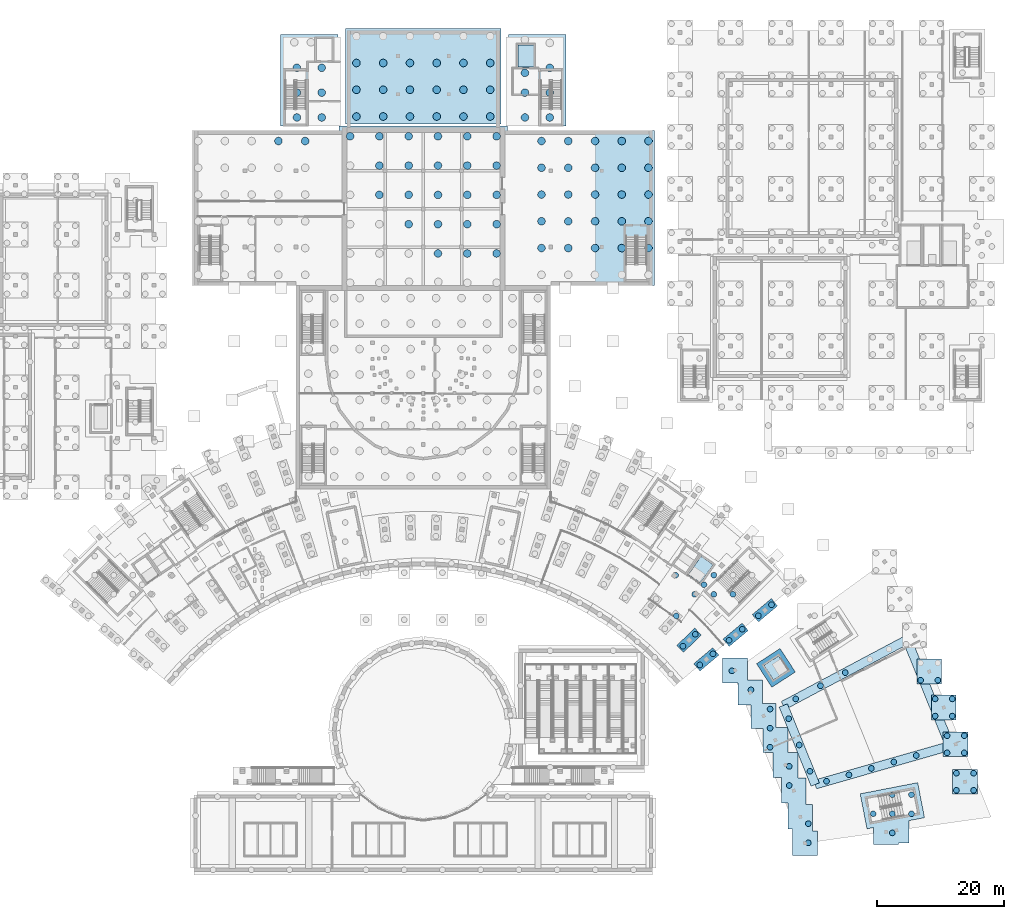
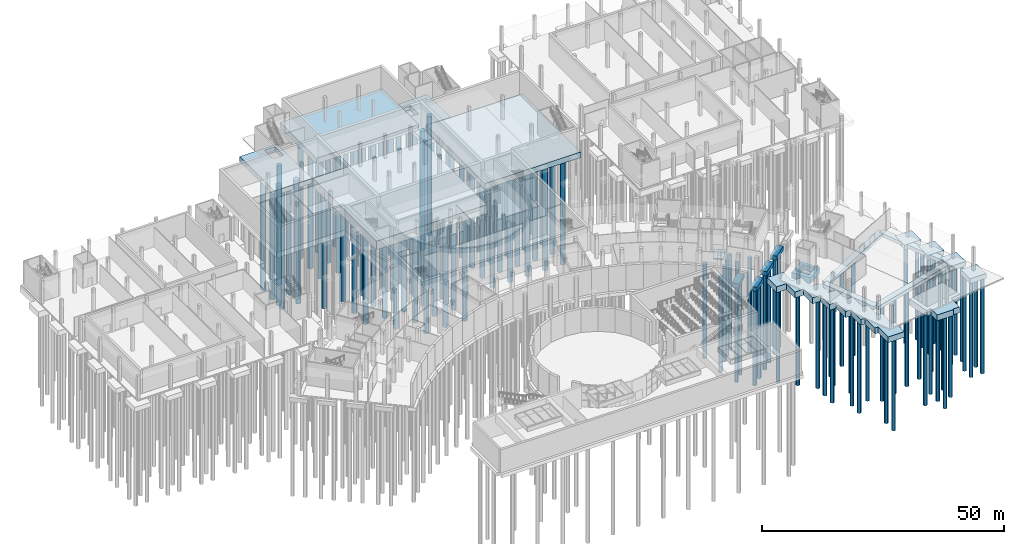
# One storey, part 7 of 66: 135 piles, 23 footings.
"""IFC4 building model written with IfcOpenShell, lengths in metres."""

from ifc_helpers import new_model, si_unit, direction, frame, origin, origin_2d, place, context, subcontext, project, spatial, polyline, circle, outline, extrude, material, material_profile, profile_set, type_object, element, save


model = new_model("IFC4")

# Units and contexts
model_context = context("Model", 3, precision=1e-05, world=origin(), true_north=direction((0.0, 1.0)))
body_context = subcontext(model_context, "Body", "Model", "MODEL_VIEW")
ifc_project = project(units=[si_unit("LENGTHUNIT", "METRE"), si_unit("AREAUNIT", "SQUARE_METRE"), si_unit("VOLUMEUNIT", "CUBIC_METRE"), si_unit("PLANEANGLEUNIT", "RADIAN"), si_unit("MASSUNIT", "GRAM", prefix="KILO")], contexts=[model_context])

# Site, building, storey
site_placement = place(None, origin())
site = spatial("IfcSite", under=ifc_project, at=site_placement, CompositionType="ELEMENT")
building_placement = place(site_placement, origin())
building = spatial("IfcBuilding", under=site, at=building_placement, Name="Lunette Opera House", CompositionType="ELEMENT")
storey_placement = place(building_placement, frame((0.0, 0.0, -6.0)))
storey = spatial("IfcBuildingStorey", under=building, at=storey_placement, Name="B1", CompositionType="ELEMENT", Elevation=-6.0)

# Piles
ifc_material_1 = material(Name="Concrete C40/50", Category="concrete")
ifc_material_profile_1 = material_profile(ifc_material_1, circle(Radius=0.60009765625, at=origin_2d()), Name="BORED PILE 1200")
ifc_profile_set_1 = profile_set([ifc_material_profile_1], Name="Concrete C40/50")
pile_type_1 = type_object("IfcPileType", Name="BORED PILE 1200", PredefinedType="BORED", material=ifc_profile_set_1)
for number, where, z_axis, x_axis, name in (
    (1, (84.5, 119.39990234375, -6.89990234375), (0.0, 0.0, -1.0), (1.0, 0.0, 0.0), "pile-ST-R2-06"),
    (2, (89.10009765625, 110.199951171875, -6.89990234375), (0.0, 0.0, -1.0), (1.0, 0.0, 0.0), "pile-ST-R2-10"),
    (3, (89.10009765625, 114.800048828125, -6.89990234375), (0.0, 0.0, -1.0), (1.0, 0.0, 0.0), "pile-ST-R2-11"),
    (4, (89.10009765625, 119.39990234375, -6.89990234375), (0.0, 0.0, -1.0), (1.0, 0.0, 0.0), "pile-ST-R2-12"),
    (5, (93.699951171875, 105.60009765625, -6.89990234375), (0.0, 0.0, -1.0), (1.0, 0.0, 0.0), "pile-ST-R2-15"),
    (6, (93.699951171875, 110.199951171875, -6.89990234375), (0.0, 0.0, -1.0), (1.0, 0.0, 0.0), "pile-ST-R2-16"),
    (7, (93.699951171875, 114.800048828125, -6.89990234375), (0.0, 0.0, -1.0), (1.0, 0.0, 0.0), "pile-ST-R2-17"),
    (8, (93.699951171875, 119.39990234375, -6.89990234375), (0.0, 0.0, -1.0), (1.0, 0.0, 0.0), "pile-ST-R2-18"),
    (9, (98.300048828125, 101.0, -6.89990234375), (0.0, 0.0, -1.0), (1.0, 0.0, 0.0), "pile-ST-R2-20"),
    (10, (98.300048828125, 105.60009765625, -6.89990234375), (0.0, 0.0, -1.0), (1.0, 0.0, 0.0), "pile-ST-R2-21"),
    (11, (98.300048828125, 110.199951171875, -6.89990234375), (0.0, 0.0, -1.0), (1.0, 0.0, 0.0), "pile-ST-R2-22"),
    (12, (98.300048828125, 114.800048828125, -6.89990234375), (0.0, 0.0, -1.0), (1.0, 0.0, 0.0), "pile-ST-R2-23"),
    (13, (98.300048828125, 119.39990234375, -6.89990234375), (0.0, 0.0, -1.0), (1.0, 0.0, 0.0), "pile-ST-R2-24"),
    (14, (102.89990234375, 101.0, -6.89990234375), (0.0, 0.0, -1.0), (1.0, 0.0, 0.0), "pile-ST-R2-26"),
    (15, (102.89990234375, 105.60009765625, -6.89990234375), (0.0, 0.0, -1.0), (1.0, 0.0, 0.0), "pile-ST-R2-27"),
    (16, (102.89990234375, 110.199951171875, -6.89990234375), (0.0, 0.0, -1.0), (1.0, 0.0, 0.0), "pile-ST-R2-28"),
    (17, (102.89990234375, 114.800048828125, -6.89990234375), (0.0, 0.0, -1.0), (1.0, 0.0, 0.0), "pile-ST-R2-29"),
    (18, (102.89990234375, 119.39990234375, -6.89990234375), (0.0, 0.0, -1.0), (1.0, 0.0, 0.0), "pile-ST-R2-30"),
    (19, (107.5, 101.0, -6.89990234375), (0.0, 0.0, -1.0), (1.0, 0.0, 0.0), "pile-ST-R2-32"),
    (20, (107.5, 105.60009765625, -6.89990234375), (0.0, 0.0, -1.0), (1.0, 0.0, 0.0), "pile-ST-R2-33"),
    (21, (107.5, 110.199951171875, -6.89990234375), (0.0, 0.0, -1.0), (1.0, 0.0, 0.0), "pile-ST-R2-34"),
    (22, (107.5, 114.800048828125, -6.89990234375), (0.0, 0.0, -1.0), (1.0, 0.0, 0.0), "pile-ST-R2-35"),
    (23, (107.5, 119.39990234375, -6.89990234375), (0.0, 0.0, -1.0), (1.0, 0.0, 0.0), "pile-ST-R2-36"),
    (24, (73.25, 118.64990234375, -1.60009765625), (0.0, 0.0, -1.0), (1.0, 0.0, 0.0), "pile-ST-R3-24"),
    (25, (77.449951171875, 118.64990234375, -1.60009765625), (0.0, 0.0, -1.0), (1.0, 0.0, 0.0), "pile-ST-R3-30"),
    (26, (114.550048828125, 101.85009765625, -1.60009765625), (0.0, 0.0, -1.0), (1.0, 0.0, 0.0), "pile-ST-R4-02"),
    (27, (114.550048828125, 106.050048828125, -1.60009765625), (0.0, 0.0, -1.0), (1.0, 0.0, 0.0), "pile-ST-R4-03"),
    (28, (114.550048828125, 110.25, -1.60009765625), (0.0, 0.0, -1.0), (1.0, 0.0, 0.0), "pile-ST-R4-04"),
    (29, (114.550048828125, 114.449951171875, -1.60009765625), (0.0, 0.0, -1.0), (1.0, 0.0, 0.0), "pile-ST-R4-05"),
    (30, (114.550048828125, 118.64990234375, -1.60009765625), (0.0, 0.0, -1.0), (1.0, 0.0, 0.0), "pile-ST-R4-06"),
    (31, (118.75, 101.85009765625, -1.60009765625), (0.0, 0.0, -1.0), (1.0, 0.0, 0.0), "pile-ST-R4-08"),
    (32, (118.75, 106.050048828125, -1.60009765625), (0.0, 0.0, -1.0), (1.0, 0.0, 0.0), "pile-ST-R4-09"),
    (33, (118.75, 110.25, -1.60009765625), (0.0, 0.0, -1.0), (1.0, 0.0, 0.0), "pile-ST-R4-10"),
    (34, (118.75, 114.449951171875, -1.60009765625), (0.0, 0.0, -1.0), (1.0, 0.0, 0.0), "pile-ST-R4-11"),
    (35, (118.75, 118.64990234375, -1.60009765625), (0.0, 0.0, -1.0), (1.0, 0.0, 0.0), "pile-ST-R4-12"),
    (36, (122.949951171875, 101.85009765625, -1.60009765625), (0.0, 0.0, -1.0), (1.0, 0.0, 0.0), "pile-ST-R4-14"),
    (37, (122.949951171875, 106.050048828125, -1.60009765625), (0.0, 0.0, -1.0), (1.0, 0.0, 0.0), "pile-ST-R4-15"),
    (38, (122.949951171875, 110.25, -1.60009765625), (0.0, 0.0, -1.0), (1.0, 0.0, 0.0), "pile-ST-R4-16"),
    (39, (122.949951171875, 114.449951171875, -1.60009765625), (0.0, 0.0, -1.0), (1.0, 0.0, 0.0), "pile-ST-R4-17"),
    (40, (122.949951171875, 118.64990234375, -1.60009765625), (0.0, 0.0, -1.0), (1.0, 0.0, 0.0), "pile-ST-R4-18"),
    (41, (127.14990234375, 101.85009765625, -1.60009765625), (0.0, 0.0, -1.0), (1.0, 0.0, 0.0), "pile-ST-R4-20"),
    (42, (127.14990234375, 106.050048828125, -1.60009765625), (0.0, 0.0, -1.0), (1.0, 0.0, 0.0), "pile-ST-R4-21"),
    (43, (127.14990234375, 110.25, -1.60009765625), (0.0, 0.0, -1.0), (1.0, 0.0, 0.0), "pile-ST-R4-22"),
    (44, (127.14990234375, 114.449951171875, -1.60009765625), (0.0, 0.0, -1.0), (1.0, 0.0, 0.0), "pile-ST-R4-23"),
    (45, (127.14990234375, 118.64990234375, -1.60009765625), (0.0, 0.0, -1.0), (1.0, 0.0, 0.0), "pile-ST-R4-24"),
    (46, (131.35009765625, 101.85009765625, -1.60009765625), (0.0, 0.0, -1.0), (1.0, 0.0, 0.0), "pile-ST-R4-26"),
    (47, (131.35009765625, 106.050048828125, -1.60009765625), (0.0, 0.0, -1.0), (1.0, 0.0, 0.0), "pile-ST-R4-27"),
    (48, (131.35009765625, 110.25, -1.60009765625), (0.0, 0.0, -1.0), (1.0, 0.0, 0.0), "pile-ST-R4-28"),
    (49, (131.35009765625, 114.449951171875, -1.60009765625), (0.0, 0.0, -1.0), (1.0, 0.0, 0.0), "pile-ST-R4-29"),
    (50, (131.35009765625, 118.64990234375, -1.60009765625), (0.0, 0.0, -1.0), (1.0, 0.0, 0.0), "pile-ST-R4-30"),
    (51, (85.5, 122.5, -1.60009765625), (0.0, 0.0, -1.0), (1.0, 0.0, 0.0), "pile-ST-R5-01"),
    (52, (85.5, 126.699951171875, -1.60009765625), (0.0, 0.0, -1.0), (1.0, 0.0, 0.0), "pile-ST-R5-02"),
    (53, (85.5, 130.89990234375, -1.60009765625), (0.0, 0.0, -1.0), (1.0, 0.0, 0.0), "pile-ST-R5-03"),
    (54, (89.699951171875, 122.5, -1.60009765625), (0.0, 0.0, -1.0), (1.0, 0.0, 0.0), "pile-ST-R5-05"),
    (55, (89.699951171875, 126.699951171875, -1.60009765625), (0.0, 0.0, -1.0), (1.0, 0.0, 0.0), "pile-ST-R5-06"),
    (56, (89.699951171875, 130.89990234375, -1.60009765625), (0.0, 0.0, -1.0), (1.0, 0.0, 0.0), "pile-ST-R5-07"),
    (57, (93.89990234375, 122.5, -1.60009765625), (0.0, 0.0, -1.0), (1.0, 0.0, 0.0), "pile-ST-R5-09"),
    (58, (93.89990234375, 126.699951171875, -1.60009765625), (0.0, 0.0, -1.0), (1.0, 0.0, 0.0), "pile-ST-R5-10"),
    (59, (93.89990234375, 130.89990234375, -1.60009765625), (0.0, 0.0, -1.0), (1.0, 0.0, 0.0), "pile-ST-R5-11"),
    (60, (98.10009765625, 122.5, -1.60009765625), (0.0, 0.0, -1.0), (1.0, 0.0, 0.0), "pile-ST-R5-13"),
    (61, (98.10009765625, 126.699951171875, -1.60009765625), (0.0, 0.0, -1.0), (1.0, 0.0, 0.0), "pile-ST-R5-14"),
    (62, (98.10009765625, 130.89990234375, -1.60009765625), (0.0, 0.0, -1.0), (1.0, 0.0, 0.0), "pile-ST-R5-15"),
    (63, (102.300048828125, 122.5, -1.60009765625), (0.0, 0.0, -1.0), (1.0, 0.0, 0.0), "pile-ST-R5-17"),
    (64, (102.300048828125, 126.699951171875, -1.60009765625), (0.0, 0.0, -1.0), (1.0, 0.0, 0.0), "pile-ST-R5-18"),
    (65, (102.300048828125, 130.89990234375, -1.60009765625), (0.0, 0.0, -1.0), (1.0, 0.0, 0.0), "pile-ST-R5-19"),
    (66, (106.5, 122.5, -1.60009765625), (0.0, 0.0, -1.0), (1.0, 0.0, 0.0), "pile-ST-R5-21"),
    (67, (106.5, 126.699951171875, -1.60009765625), (0.0, 0.0, -1.0), (1.0, 0.0, 0.0), "pile-ST-R5-22"),
    (68, (106.5, 130.89990234375, -1.60009765625), (0.0, 0.0, -1.0), (1.0, 0.0, 0.0), "pile-ST-R5-23"),
    (69, (76.14990234375, 122.35009765625, -5.89990234375), (0.0, 0.0, -1.0), (1.0, 0.0, 0.0), "pile-ST-RT1-01"),
    (70, (76.14990234375, 126.25, -5.89990234375), (0.0, 0.0, -1.0), (1.0, 0.0, 0.0), "pile-ST-RT1-02"),
    (71, (76.14990234375, 130.14990234375, -5.89990234375), (0.0, 0.0, -1.0), (1.0, 0.0, 0.0), "pile-ST-RT1-03"),
    (72, (80.050048828125, 122.35009765625, -5.89990234375), (0.0, 0.0, -1.0), (1.0, 0.0, 0.0), "pile-ST-RT1-05"),
    (73, (80.050048828125, 126.25, -5.89990234375), (0.0, 0.0, -1.0), (1.0, 0.0, 0.0), "pile-ST-RT1-06"),
    (74, (80.050048828125, 130.14990234375, -5.89990234375), (0.0, 0.0, -1.0), (1.0, 0.0, 0.0), "pile-ST-RT1-07"),
    (75, (111.949951171875, 122.35009765625, -5.89990234375), (0.0, 0.0, -1.0), (1.0, 0.0, 0.0), "pile-ST-RT2-01"),
    (76, (111.949951171875, 126.25, -5.89990234375), (0.0, 0.0, -1.0), (1.0, 0.0, 0.0), "pile-ST-RT2-02"),
    (77, (111.949951171875, 129.35009765625, -5.89990234375), (0.0, 0.0, -1.0), (1.0, 0.0, 0.0), "pile-ST-RT2-03"),
    (78, (115.85009765625, 122.35009765625, -5.89990234375), (0.0, 0.0, -1.0), (1.0, 0.0, 0.0), "pile-ST-RT2-05"),
    (79, (115.85009765625, 126.25, -5.89990234375), (0.0, 0.0, -1.0), (1.0, 0.0, 0.0), "pile-ST-RT2-06"),
    (80, (115.85009765625, 130.14990234375, -5.89990234375), (0.0, 0.0, -1.0), (1.0, 0.0, 0.0), "pile-ST-RT2-07"),
):
    element("IfcPile", number, at=place(storey_placement, frame(where, z_axis=z_axis, x_axis=x_axis)), inside=storey, type_object=pile_type_1, Name=name, PredefinedType="BORED", context=body_context, shape_type="SweptSolid", body=[
        extrude(circle(Radius=0.60009765625, at=origin_2d()), origin(), (0.0, 0.0, 1.0), 30.10009765625),
    ])
ifc_material_2 = material(Name="Concrete C40/50", Category="concrete")
ifc_material_profile_2 = material_profile(ifc_material_2, circle(Radius=0.449951171875, at=origin_2d()), Name="BORED PILE 900")
ifc_profile_set_2 = profile_set([ifc_material_profile_2], Name="Concrete C40/50")
pile_type_2 = type_object("IfcPileType", Name="BORED PILE 900", PredefinedType="BORED", material=ifc_profile_set_2)
for number, where, z_axis, x_axis, name in (
    (81, (135.712890625, 44.10498046875, -1.300048828125), (0.0, 0.0, -1.0), (1.0, 0.0, 0.0), "pile-FC-CAP020-B"),
    (82, (136.7509765625, 39.35205078125, -1.300048828125), (0.0, 0.0, -1.0), (1.0, 0.0, 0.0), "pile-FC-CAP021-A"),
    (83, (138.693115234375, 41.22802734375, -1.300048828125), (0.0, 0.0, -1.0), (1.0, 0.0, 0.0), "pile-FC-CAP021-B"),
    (84, (139.39697265625, 36.4140625, -1.300048828125), (0.0, 0.0, -1.0), (1.0, 0.0, 0.0), "pile-FC-CAP022-A"),
    (85, (141.465087890625, 38.14990234375, -1.300048828125), (0.0, 0.0, -1.0), (1.0, 0.0, 0.0), "pile-FC-CAP022-B"),
    (86, (143.992919921875, 40.27001953125, -1.300048828125), (0.0, 0.0, -1.0), (1.0, 0.0, 0.0), "pile-FC-CAP030-A"),
    (87, (146.06103515625, 42.006103515625, -1.300048828125), (0.0, 0.0, -1.0), (1.0, 0.0, 0.0), "pile-FC-CAP030-B"),
    (88, (148.589111328125, 44.126953125, -1.300048828125), (0.0, 0.0, -1.0), (1.0, 0.0, 0.0), "pile-FC-CAP038-A"),
    (89, (150.656982421875, 45.863037109375, -1.300048828125), (0.0, 0.0, -1.0), (1.0, 0.0, 0.0), "pile-FC-CAP038-B"),
    (90, (135.59912109375, 50.4970703125, -1.699951171875), (0.0, 0.0, -1.0), (1.0, 0.0, 0.0), "pile-FC-RAFT01-01"),
    (91, (138.59912109375, 47.4970703125, -1.699951171875), (0.0, 0.0, -1.0), (1.0, 0.0, 0.0), "pile-FC-RAFT01-02"),
    (92, (140.052001953125, 49.011962890625, -1.699951171875), (0.0, 0.0, -1.0), (1.0, 0.0, 0.0), "pile-FC-RAFT01-03"),
    (93, (141.59912109375, 47.4970703125, -1.699951171875), (0.0, 0.0, -1.0), (1.0, 0.0, 0.0), "pile-FC-RAFT01-05"),
    (94, (141.59912109375, 50.4970703125, -1.699951171875), (0.0, 0.0, -1.0), (1.0, 0.0, 0.0), "pile-FC-RAFT01-06"),
    (95, (144.59912109375, 47.4970703125, -1.699951171875), (0.0, 0.0, -1.0), (1.0, 0.0, 0.0), "pile-FC-RAFT01-07"),
    (96, (174.06494140625, 34.008056640625, -1.39990234375), (0.0, 0.0, -1.0), (1.0, 0.0, 0.0), "pile-SB-CAP004-1"),
    (97, (176.764892578125, 34.008056640625, -1.39990234375), (0.0, 0.0, -1.0), (1.0, 0.0, 0.0), "pile-SB-CAP004-2"),
    (98, (176.337890625, 28.382080078125, -1.39990234375), (0.0, 0.0, -1.0), (1.0, 0.0, 0.0), "pile-SB-CAP005-1"),
    (99, (179.0380859375, 28.382080078125, -1.39990234375), (0.0, 0.0, -1.0), (1.0, 0.0, 0.0), "pile-SB-CAP005-2"),
    (100, (176.337890625, 31.08203125, -1.39990234375), (0.0, 0.0, -1.0), (1.0, 0.0, 0.0), "pile-SB-CAP005-3"),
    (101, (179.0380859375, 31.08203125, -1.39990234375), (0.0, 0.0, -1.0), (1.0, 0.0, 0.0), "pile-SB-CAP005-4"),
    (102, (178.212890625, 22.611083984375, -1.39990234375), (0.0, 0.0, -1.0), (1.0, 0.0, 0.0), "pile-SB-CAP006-1"),
    (103, (180.9130859375, 22.611083984375, -1.39990234375), (0.0, 0.0, -1.0), (1.0, 0.0, 0.0), "pile-SB-CAP006-2"),
    (104, (178.212890625, 25.31103515625, -1.39990234375), (0.0, 0.0, -1.0), (1.0, 0.0, 0.0), "pile-SB-CAP006-3"),
    (105, (180.9130859375, 25.31103515625, -1.39990234375), (0.0, 0.0, -1.0), (1.0, 0.0, 0.0), "pile-SB-CAP006-4"),
    (106, (179.679931640625, 16.72412109375, -1.39990234375), (0.0, 0.0, -1.0), (1.0, 0.0, 0.0), "pile-SB-CAP007-1"),
    (107, (182.3798828125, 16.72412109375, -1.39990234375), (0.0, 0.0, -1.0), (1.0, 0.0, 0.0), "pile-SB-CAP007-2"),
    (108, (179.679931640625, 19.424072265625, -1.39990234375), (0.0, 0.0, -1.0), (1.0, 0.0, 0.0), "pile-SB-CAP007-3"),
    (109, (182.3798828125, 19.424072265625, -1.39990234375), (0.0, 0.0, -1.0), (1.0, 0.0, 0.0), "pile-SB-CAP007-4"),
    (110, (166.6220703125, 13.0458984375, -1.699951171875), (0.0, 0.0, -1.0), (1.0, 0.0, 0.0), "pile-SB-RAFT01-01"),
    (111, (169.6220703125, 10.0458984375, -1.699951171875), (0.0, 0.0, -1.0), (1.0, 0.0, 0.0), "pile-SB-RAFT01-02"),
    (112, (169.6220703125, 13.0458984375, -1.699951171875), (0.0, 0.0, -1.0), (1.0, 0.0, 0.0), "pile-SB-RAFT01-03"),
    (113, (169.6220703125, 16.0458984375, -1.699951171875), (0.0, 0.0, -1.0), (1.0, 0.0, 0.0), "pile-SB-RAFT01-04"),
    (114, (172.6220703125, 13.0458984375, -1.699951171875), (0.0, 0.0, -1.0), (1.0, 0.0, 0.0), "pile-SB-RAFT01-05"),
    (115, (172.6220703125, 16.0458984375, -1.699951171875), (0.0, 0.0, -1.0), (1.0, 0.0, 0.0), "pile-SB-RAFT01-06"),
    (116, (144.427978515625, 35.489990234375, -1.699951171875), (0.0, 0.0, -1.0), (1.0, 0.0, 0.0), "pile-SB-RAFT03-01"),
    (117, (147.427978515625, 32.489990234375, -1.699951171875), (0.0, 0.0, -1.0), (1.0, 0.0, 0.0), "pile-SB-RAFT03-02"),
    (118, (150.427978515625, 23.489990234375, -1.699951171875), (0.0, 0.0, -1.0), (1.0, 0.0, 0.0), "pile-SB-RAFT03-03"),
    (119, (150.427978515625, 26.489990234375, -1.699951171875), (0.0, 0.0, -1.0), (1.0, 0.0, 0.0), "pile-SB-RAFT03-04"),
    (120, (150.427978515625, 29.489990234375, -1.699951171875), (0.0, 0.0, -1.0), (1.0, 0.0, 0.0), "pile-SB-RAFT03-05"),
    (121, (153.427978515625, 17.489990234375, -1.699951171875), (0.0, 0.0, -1.0), (1.0, 0.0, 0.0), "pile-SB-RAFT03-06"),
    (122, (153.427978515625, 20.489990234375, -1.699951171875), (0.0, 0.0, -1.0), (1.0, 0.0, 0.0), "pile-SB-RAFT03-07"),
    (123, (156.427978515625, 8.489990234375, -1.699951171875), (0.0, 0.0, -1.0), (1.0, 0.0, 0.0), "pile-SB-RAFT03-08"),
    (124, (156.427978515625, 11.489990234375, -1.699951171875), (0.0, 0.0, -1.0), (1.0, 0.0, 0.0), "pile-SB-RAFT03-09"),
    (125, (162.220947265625, 35.2099609375, -1.10009765625), (0.0, 0.0, -1.0), (1.0, 0.0, 0.0), "pile-SB-SFHW1-3"),
    (126, (158.3359375, 33.14501953125, -1.10009765625), (0.0, 0.0, -1.0), (1.0, 0.0, 0.0), "pile-SB-SFHW1-4"),
    (127, (154.450927734375, 31.0791015625, -1.10009765625), (0.0, 0.0, -1.0), (1.0, 0.0, 0.0), "pile-SB-SFHW1-5"),
    (128, (153.343994140625, 27.97900390625, -1.10009765625), (0.0, 0.0, -1.0), (1.0, 0.0, 0.0), "pile-SB-SFHW2-1"),
    (129, (155.014892578125, 23.843017578125, -1.10009765625), (0.0, 0.0, -1.0), (1.0, 0.0, 0.0), "pile-SB-SFHW2-2"),
    (130, (156.68603515625, 19.708984375, -1.10009765625), (0.0, 0.0, -1.0), (1.0, 0.0, 0.0), "pile-SB-SFHW2-3"),
    (131, (159.282958984375, 18.14599609375, -1.10009765625), (0.0, 0.0, -1.0), (1.0, 0.0, 0.0), "pile-SB-SFHW3-1"),
    (132, (162.80810546875, 19.156982421875, -1.10009765625), (0.0, 0.0, -1.0), (1.0, 0.0, 0.0), "pile-SB-SFHW3-2"),
    (133, (166.3330078125, 20.16796875, -1.10009765625), (0.0, 0.0, -1.0), (1.0, 0.0, 0.0), "pile-SB-SFHW3-3"),
    (134, (169.85693359375, 21.177978515625, -1.10009765625), (0.0, 0.0, -1.0), (1.0, 0.0, 0.0), "pile-SB-SFHW3-4"),
    (135, (173.382080078125, 22.18896484375, -1.10009765625), (0.0, 0.0, -1.0), (1.0, 0.0, 0.0), "pile-SB-SFHW3-5"),
):
    element("IfcPile", number, at=place(storey_placement, frame(where, z_axis=z_axis, x_axis=x_axis)), inside=storey, type_object=pile_type_2, Name=name, PredefinedType="BORED", context=body_context, shape_type="SweptSolid", body=[
        extrude(circle(Radius=0.449951171875, at=origin_2d()), origin(), (0.0, 0.0, 1.0), 24.10009765625),
    ])

# Footings
ifc_material_3 = material(Name="Concrete C40/50", Category="concrete")
footing_type_1 = type_object("IfcFootingType", Name="CORE RAFT 1500", PredefinedType="PILE_CAP", material=ifc_material_3)
footing_1_placement = place(storey_placement, frame((0.0, 0.0, -1.800048828125)))
element("IfcFooting", 136, at=footing_1_placement, inside=storey, type_object=footing_type_1, Name="ftg-SB-RAFT01", PredefinedType="PILE_CAP", context=body_context, shape_type="SweptSolid", body=[
    extrude(outline(polyline([(170.596923828125, 8.260009765625), (170.596923828125, 8.488037109375), (172.219970703125, 8.488037109375), (172.219970703125, 11.962890625), (174.6708984375, 12.43896484375), (173.60400390625, 17.93603515625), (164.572998046875, 16.181884765625), (165.639892578125, 10.68505859375), (166.697021484375, 10.889892578125), (166.697021484375, 8.260009765625), (170.596923828125, 8.260009765625)])), origin(), (0.0, 0.0, 1.0), 1.5),
])
footing_2_placement = place(storey_placement, frame((0.0, 0.0, -1.800048828125)))
element("IfcFooting", 137, at=footing_2_placement, inside=storey, type_object=footing_type_1, Name="ftg-SB-RAFT03", PredefinedType="PILE_CAP", context=body_context, shape_type="SweptSolid", body=[
    extrude(outline(polyline([(149.257080078125, 34.010009765625), (146.89599609375, 34.010009765625), (146.89599609375, 37.510986328125), (142.99609375, 37.510986328125), (142.99609375, 33.611083984375), (145.35693359375, 33.611083984375), (145.35693359375, 30.110107421875), (147.468017578125, 30.110107421875), (147.468017578125, 26.452880859375), (149.320068359375, 26.452880859375), (149.320068359375, 22.657958984375), (150.90087890625, 22.657958984375), (150.90087890625, 18.741943359375), (152.2060546875, 18.741943359375), (152.2060546875, 14.72607421875), (153.22802734375, 14.72607421875), (153.22802734375, 10.62890625), (153.9609375, 10.62890625), (153.9609375, 6.469970703125), (157.861083984375, 6.469970703125), (157.861083984375, 10.3701171875), (157.1279296875, 10.3701171875), (157.1279296875, 14.529052734375), (156.10595703125, 14.529052734375), (156.10595703125, 18.6259765625), (154.801025390625, 18.6259765625), (154.801025390625, 22.64208984375), (153.219970703125, 22.64208984375), (153.219970703125, 26.55810546875), (151.367919921875, 26.55810546875), (151.367919921875, 30.35302734375), (149.257080078125, 30.35302734375), (149.257080078125, 34.010009765625)])), origin(), (0.0, 0.0, 1.0), 1.5),
])
footing_3_placement = place(storey_placement, frame((0.0, 0.0, -1.800048828125)))
element("IfcFooting", 138, at=footing_3_placement, inside=storey, type_object=footing_type_1, Name="ftg-SB-RAFT04", PredefinedType="PILE_CAP", context=body_context, shape_type="SweptSolid", body=[
    extrude(outline(polyline([(148.30908203125, 36.593994140625), (150.7060546875, 32.903076171875), (154.39599609375, 35.300048828125), (151.9990234375, 38.989013671875), (148.30908203125, 36.593994140625)]), holes=[polyline([(150.9560546875, 34.0791015625), (149.485107421875, 36.343017578125), (151.7490234375, 37.81298828125), (153.219970703125, 35.549072265625), (150.9560546875, 34.0791015625)])]), origin(), (0.0, 0.0, 1.0), 1.5),
])
ifc_material_4 = material(Name="Concrete C35/45", Category="concrete")
footing_type_2 = type_object("IfcFootingType", Name="LIFT PIT FLOOR 300", PredefinedType="PAD_FOOTING", material=ifc_material_4)
footing_4_placement = place(storey_placement, frame((0.0, 0.0, -1.800048828125)))
element("IfcFooting", 139, at=footing_4_placement, inside=storey, type_object=footing_type_2, Name="LF2 pit floor", PredefinedType="PAD_FOOTING", context=body_context, shape_type="SweptSolid", body=[
    extrude(outline(polyline([(137.591064453125, 50.593994140625), (139.597900390625, 53.4609375), (141.48291015625, 52.14208984375), (139.47607421875, 49.27490234375), (137.591064453125, 50.593994140625)])), origin(), (0.0, 0.0, 1.0), 0.300048828125),
])
footing_5_placement = place(storey_placement, frame((0.0, 0.0, -1.800048828125)))
element("IfcFooting", 140, at=footing_5_placement, inside=storey, type_object=footing_type_2, Name="LF8 pit floor", PredefinedType="PAD_FOOTING", context=body_context, shape_type="SweptSolid", body=[
    extrude(outline(polyline([(149.485107421875, 36.343017578125), (151.7490234375, 37.81298828125), (153.219970703125, 35.549072265625), (150.9560546875, 34.0791015625), (149.485107421875, 36.343017578125)])), origin(), (0.0, 0.0, 1.0), 0.300048828125),
])
ifc_material_5 = material(Name="Concrete C35/45", Category="concrete")
footing_type_3 = type_object("IfcFootingType", Name="LIFT PIT FOOTING 900", PredefinedType="PAD_FOOTING", material=ifc_material_5)
footing_6_placement = place(storey_placement, frame((0.0, 0.0, -6.800048828125)))
element("IfcFooting", 141, at=footing_6_placement, inside=storey, type_object=footing_type_3, Name="ftg-ST-LS-S2-PIT", PredefinedType="PAD_FOOTING", context=body_context, shape_type="SweptSolid", body=[
    extrude(outline(polyline([(113.35009765625, 130.25), (113.35009765625, 133.75), (110.85009765625, 133.75), (110.85009765625, 130.25), (113.35009765625, 130.25)])), origin(), (0.0, 0.0, 1.0), 0.900146484375),
])
ifc_material_6 = material(Name="Concrete C40/50", Category="concrete")
footing_type_4 = type_object("IfcFootingType", Name="PILE CAP 3900X1500", PredefinedType="PILE_CAP", material=ifc_material_6)
footing_7_placement = place(storey_placement, frame((0.0, 0.0, -1.39990234375)))
element("IfcFooting", 142, at=footing_7_placement, inside=storey, type_object=footing_type_4, Name="ftg-FC-CAP021", PredefinedType="PILE_CAP", context=body_context, shape_type="SweptSolid", body=[
    extrude(outline(polyline([(135.798095703125, 39.47509765625), (136.840087890625, 38.39599609375), (139.64599609375, 41.10498046875), (138.60400390625, 42.18408203125), (135.798095703125, 39.47509765625)])), origin(), (0.0, 0.0, 1.0), 1.099853515625),
])
footing_8_placement = place(storey_placement, frame((0.0, 0.0, -1.39990234375)))
element("IfcFooting", 143, at=footing_8_placement, inside=storey, type_object=footing_type_4, Name="ftg-FC-CAP022", PredefinedType="PILE_CAP", context=body_context, shape_type="SweptSolid", body=[
    extrude(outline(polyline([(138.455078125, 36.60302734375), (139.4189453125, 35.4541015625), (142.406982421875, 37.9609375), (141.443115234375, 39.110107421875), (138.455078125, 36.60302734375)])), origin(), (0.0, 0.0, 1.0), 1.099853515625),
])
footing_9_placement = place(storey_placement, frame((0.0, 0.0, -1.39990234375)))
element("IfcFooting", 144, at=footing_9_placement, inside=storey, type_object=footing_type_4, Name="ftg-FC-CAP030", PredefinedType="PILE_CAP", context=body_context, shape_type="SweptSolid", body=[
    extrude(outline(polyline([(143.051025390625, 40.458984375), (144.014892578125, 39.31005859375), (147.0029296875, 41.81689453125), (146.0390625, 42.966064453125), (143.051025390625, 40.458984375)])), origin(), (0.0, 0.0, 1.0), 1.099853515625),
])
footing_10_placement = place(storey_placement, frame((0.0, 0.0, -1.39990234375)))
element("IfcFooting", 145, at=footing_10_placement, inside=storey, type_object=footing_type_4, Name="ftg-FC-CAP038", PredefinedType="PILE_CAP", context=body_context, shape_type="SweptSolid", body=[
    extrude(outline(polyline([(147.64697265625, 44.31591796875), (148.611083984375, 43.1669921875), (151.59912109375, 45.674072265625), (150.635009765625, 46.822998046875), (147.64697265625, 44.31591796875)])), origin(), (0.0, 0.0, 1.0), 1.099853515625),
])
ifc_material_7 = material(Name="Concrete C35/45", Category="concrete")
footing_type_5 = type_object("IfcFootingType", Name="PILE CAP 3900X3900", PredefinedType="PILE_CAP", material=ifc_material_7)
footing_11_placement = place(storey_placement, frame((0.0, 0.0, -1.5)))
element("IfcFooting", 146, at=footing_11_placement, inside=storey, type_object=footing_type_5, Name="ftg-SB-CAP004", PredefinedType="PILE_CAP", context=body_context, shape_type="SweptSolid", body=[
    extrude(outline(polyline([(177.364990234375, 33.407958984375), (177.364990234375, 37.30810546875), (173.465087890625, 37.30810546875), (173.465087890625, 33.407958984375), (177.364990234375, 33.407958984375)])), origin(), (0.0, 0.0, 1.0), 1.199951171875),
])
footing_12_placement = place(storey_placement, frame((0.0, 0.0, -1.5)))
element("IfcFooting", 147, at=footing_12_placement, inside=storey, type_object=footing_type_5, Name="ftg-SB-CAP005", PredefinedType="PILE_CAP", context=body_context, shape_type="SweptSolid", body=[
    extrude(outline(polyline([(179.637939453125, 27.781982421875), (179.637939453125, 31.681884765625), (175.738037109375, 31.681884765625), (175.738037109375, 27.781982421875), (179.637939453125, 27.781982421875)])), origin(), (0.0, 0.0, 1.0), 1.199951171875),
])
footing_13_placement = place(storey_placement, frame((0.0, 0.0, -1.5)))
element("IfcFooting", 148, at=footing_13_placement, inside=storey, type_object=footing_type_5, Name="ftg-SB-CAP006", PredefinedType="PILE_CAP", context=body_context, shape_type="SweptSolid", body=[
    extrude(outline(polyline([(181.512939453125, 22.010986328125), (181.512939453125, 25.910888671875), (177.613037109375, 25.910888671875), (177.613037109375, 22.010986328125), (181.512939453125, 22.010986328125)])), origin(), (0.0, 0.0, 1.0), 1.199951171875),
])
footing_14_placement = place(storey_placement, frame((0.0, 0.0, -1.5)))
element("IfcFooting", 149, at=footing_14_placement, inside=storey, type_object=footing_type_5, Name="ftg-SB-CAP007", PredefinedType="PILE_CAP", context=body_context, shape_type="SweptSolid", body=[
    extrude(outline(polyline([(182.97998046875, 16.1240234375), (182.97998046875, 20.02392578125), (179.080078125, 20.02392578125), (179.080078125, 16.1240234375), (182.97998046875, 16.1240234375)])), origin(), (0.0, 0.0, 1.0), 1.199951171875),
])
ifc_material_8 = material(Name="Concrete C40/50", Category="concrete")
footing_type_6 = type_object("IfcFootingType", Name="STAGE RAFT 1400", PredefinedType="PILE_CAP", material=ifc_material_8)
footing_15_placement = place(storey_placement, frame((0.0, 0.0, -1.699951171875)))
element("IfcFooting", 150, at=footing_15_placement, inside=storey, type_object=footing_type_6, Name="ftg-ST-R4", PredefinedType="PILE_CAP", context=body_context, shape_type="SweptSolid", body=[
    extrude(outline(polyline([(132.300048828125, 96.0), (132.300048828125, 120.300048828125), (109.39990234375, 120.300048828125), (109.39990234375, 96.0), (132.300048828125, 96.0)])), origin(), (0.0, 0.0, 1.0), 1.39990234375),
])
footing_16_placement = place(storey_placement, frame((0.0, 0.0, -1.699951171875)))
element("IfcFooting", 151, at=footing_16_placement, inside=storey, type_object=footing_type_6, Name="ftg-ST-R5", PredefinedType="PILE_CAP", context=body_context, shape_type="SweptSolid", body=[
    extrude(outline(polyline([(108.199951171875, 121.300048828125), (108.199951171875, 136.300048828125), (83.800048828125, 136.300048828125), (83.800048828125, 121.300048828125), (108.199951171875, 121.300048828125)])), origin(), (0.0, 0.0, 1.0), 1.39990234375),
])
ifc_material_9 = material(Name="Concrete C40/50", Category="concrete")
footing_type_7 = type_object("IfcFootingType", Name="STAGE RAFT 2200", PredefinedType="PILE_CAP", material=ifc_material_9)
footing_17_placement = place(storey_placement, frame((0.0, 0.0, -7.0)))
element("IfcFooting", 152, at=footing_17_placement, inside=storey, type_object=footing_type_7, Name="ftg-ST-R2", PredefinedType="PILE_CAP", context=body_context, shape_type="SweptSolid", body=[
    extrude(outline(polyline([(109.199951171875, 94.800048828125), (109.199951171875, 121.0), (82.800048828125, 121.0), (82.800048828125, 94.800048828125), (109.199951171875, 94.800048828125)])), origin(), (0.0, 0.0, 1.0), 2.199951171875),
])
ifc_material_10 = material(Name="Concrete C35/45", Category="concrete")
footing_type_8 = type_object("IfcFootingType", Name="STRIP FOOTING 1800X900", PredefinedType="STRIP_FOOTING", material=ifc_material_10)
footing_18_placement = place(storey_placement, frame((0.0, 0.0, -1.199951171875)))
element("IfcFooting", 153, at=footing_18_placement, inside=storey, type_object=footing_type_8, Name="ftg-SB-SFHW1", PredefinedType="STRIP_FOOTING", context=body_context, shape_type="SweptSolid", body=[
    extrude(outline(polyline([(172.261962890625, 39.757080078125), (171.60400390625, 40.992919921875), (152.179931640625, 30.6640625), (152.837890625, 29.427978515625), (172.261962890625, 39.757080078125)])), origin(), (0.0, 0.0, 1.0), 0.89990234375),
])
footing_19_placement = place(storey_placement, frame((0.0, 0.0, -1.199951171875)))
element("IfcFooting", 154, at=footing_19_placement, inside=storey, type_object=footing_type_8, Name="ftg-SB-SFHW2", PredefinedType="STRIP_FOOTING", context=body_context, shape_type="SweptSolid", body=[
    extrude(outline(polyline([(153.157958984375, 30.30810546875), (151.860107421875, 29.783935546875), (156.8720703125, 17.37890625), (158.169921875, 17.903076171875), (153.157958984375, 30.30810546875)])), origin(), (0.0, 0.0, 1.0), 0.89990234375),
])
footing_20_placement = place(storey_placement, frame((0.0, 0.0, -1.199951171875)))
element("IfcFooting", 155, at=footing_20_placement, inside=storey, type_object=footing_type_8, Name="ftg-SB-SFHW3", PredefinedType="STRIP_FOOTING", context=body_context, shape_type="SweptSolid", body=[
    extrude(outline(polyline([(157.327880859375, 18.31396484375), (157.714111328125, 16.968017578125), (178.862060546875, 23.031982421875), (178.47607421875, 24.3779296875), (157.327880859375, 18.31396484375)])), origin(), (0.0, 0.0, 1.0), 0.89990234375),
])
footing_21_placement = place(storey_placement, frame((0.0, 0.0, -1.199951171875)))
element("IfcFooting", 156, at=footing_21_placement, inside=storey, type_object=footing_type_8, Name="ftg-SB-SFHW4", PredefinedType="STRIP_FOOTING", context=body_context, shape_type="SweptSolid", body=[
    extrude(outline(polyline([(178.02001953125, 23.443115234375), (179.318115234375, 23.967041015625), (172.58203125, 40.636962890625), (171.283935546875, 40.113037109375), (178.02001953125, 23.443115234375)])), origin(), (0.0, 0.0, 1.0), 0.89990234375),
])
ifc_material_11 = material(Name="Concrete C40/50", Category="concrete")
footing_type_9 = type_object("IfcFootingType", Name="TOWER RAFT 1200", PredefinedType="PILE_CAP", material=ifc_material_11)
footing_22_placement = place(storey_placement, frame((0.0, 0.0, -6.0)))
element("IfcFooting", 157, at=footing_22_placement, inside=storey, type_object=footing_type_9, Name="ftg-ST-RT1", PredefinedType="PILE_CAP", context=body_context, shape_type="SweptSolid", body=[
    extrude(outline(polyline([(73.60009765625, 121.0), (82.60009765625, 121.0), (82.60009765625, 135.39990234375), (73.60009765625, 135.39990234375), (73.60009765625, 121.0)]), holes=[polyline([(81.699951171875, 134.75), (81.699951171875, 131.25), (79.199951171875, 131.25), (79.199951171875, 134.75), (81.699951171875, 134.75)])]), origin(), (0.0, 0.0, 1.0), 1.199951171875),
])
footing_23_placement = place(storey_placement, frame((0.0, 0.0, -6.0)))
element("IfcFooting", 158, at=footing_23_placement, inside=storey, type_object=footing_type_9, Name="ftg-ST-RT2", PredefinedType="PILE_CAP", context=body_context, shape_type="SweptSolid", body=[
    extrude(outline(polyline([(109.39990234375, 121.0), (118.39990234375, 121.0), (118.39990234375, 135.39990234375), (109.39990234375, 135.39990234375), (109.39990234375, 121.0)]), holes=[polyline([(113.35009765625, 133.75), (113.35009765625, 130.25), (110.85009765625, 130.25), (110.85009765625, 133.75), (113.35009765625, 133.75)])]), origin(), (0.0, 0.0, 1.0), 1.199951171875),
])

save(model, "model.ifc")
